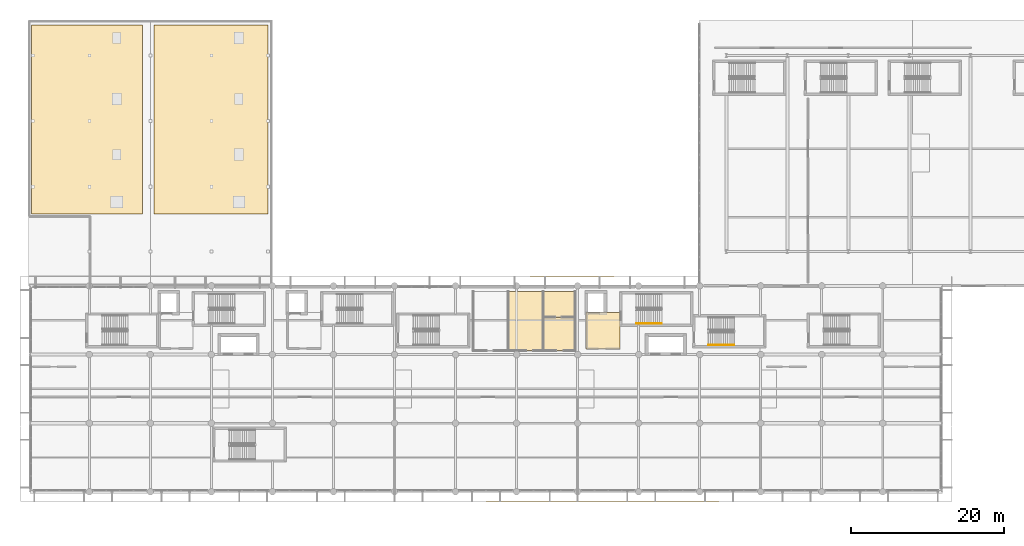
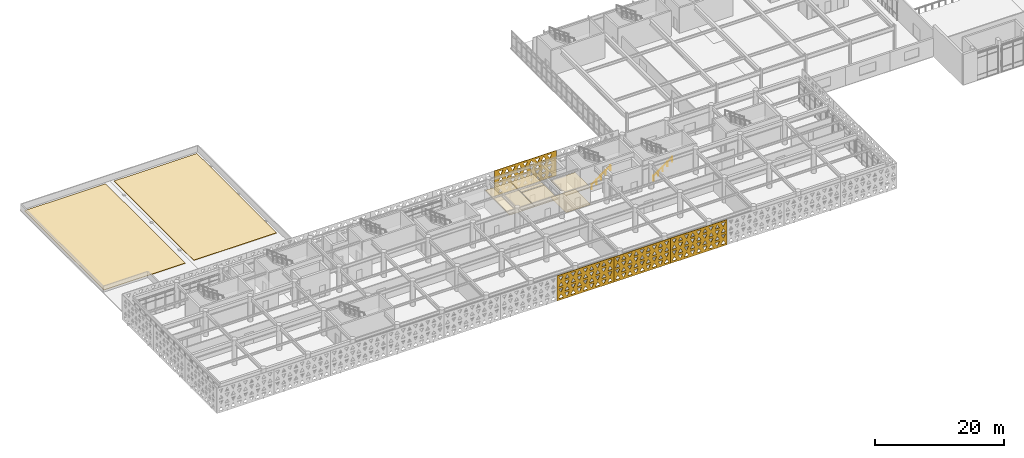
# One storey, part 47 of 54: 11 coverings, 2 railings.
"""IFC4 building model written with IfcOpenShell, lengths in metres."""

import ifcopenshell
import ifcopenshell.guid

model = None  # the IFC model being written
_history = None  # IfcOwnerHistory: only IFC2X3 demands one
_inside = {}  # id of a spatial element -> (the spatial element, [elements in it])
_under = {}  # id of a project, library or spatial element -> (it, [spatial elements below it])
_declared = {}  # id of a project -> (the project, [libraries it declares])
_typed = {}  # id of a type object -> (the type object, [elements of that type])
_made_of = {}  # id of a material, layer set ... -> (it, [elements and type objects made of it])


def new_model(schema):
    """Start an empty IFC model of exactly this schema.

    Asked for "IFC4X3", IfcOpenShell would pick the latest addendum, in which some entities
    have other attributes; the version numbers below select the first issue.
    IFC2X3 requires an IfcOwnerHistory on every rooted entity: one is made here for all.
    """
    global model, _history
    if schema == "IFC4X3":
        model = ifcopenshell.file(schema_version=(4, 3, 0, 0))
    else:
        model = ifcopenshell.file(schema=schema)
    _inside.clear()
    _under.clear()
    _declared.clear()
    _typed.clear()
    _made_of.clear()
    _history = None
    if model.schema == "IFC2X3":
        org = make("IfcOrganization", Name="unknown")
        user = make(
            "IfcPersonAndOrganization",
            ThePerson=make("IfcPerson", FamilyName="unknown"),
            TheOrganization=org,
        )
        app = make(
            "IfcApplication",
            ApplicationDeveloper=org,
            Version="unknown",
            ApplicationFullName="unknown",
            ApplicationIdentifier="unknown",
        )
        _history = make(
            "IfcOwnerHistory",
            OwningUser=user,
            OwningApplication=app,
            ChangeAction="ADDED",
            CreationDate=0,
        )
    return model


def make(cls, **values):
    """One entity of the class cls with the attributes given. An attribute that is None is left unset."""
    return model.create_entity(
        cls, **{name: value for name, value in values.items() if value is not None}
    )


def rooted(cls, **values):
    """An entity with a GlobalId (a new one), such as an element, a storey or a relation."""
    return make(cls, GlobalId=ifcopenshell.guid.new(), OwnerHistory=_history, **values)


def si_unit(unit_type, name, prefix=None):
    """IfcSIUnit, for example si_unit("LENGTHUNIT", "METRE", prefix="MILLI")."""
    return make("IfcSIUnit", UnitType=unit_type, Prefix=prefix, Name=name)


def assignment(units):
    """IfcUnitAssignment: the units of a project."""
    return None if units is None else make("IfcUnitAssignment", Units=units)


def point(xyz):
    """IfcCartesianPoint."""
    return None if xyz is None else make("IfcCartesianPoint", Coordinates=xyz)


def direction(xyz):
    """IfcDirection."""
    return None if xyz is None else make("IfcDirection", DirectionRatios=xyz)


def frame(location, z_axis=None, x_axis=None):
    """IfcAxis2Placement3D, a coordinate frame: its origin and axes. An axis left out is left unset."""
    return make(
        "IfcAxis2Placement3D",
        Location=point(location),
        Axis=direction(z_axis),
        RefDirection=direction(x_axis),
    )


def frame_2d(location, x_axis=None):
    """IfcAxis2Placement2D, a coordinate frame in the plane: its origin and x axis."""
    return make(
        "IfcAxis2Placement2D", Location=point(location), RefDirection=direction(x_axis)
    )


def origin():
    """The frame at (0, 0, 0) with its axes left unset."""
    return frame((0.0, 0.0, 0.0))


def origin_2d():
    """The frame at (0, 0) in the plane with its x axis left unset."""
    return frame_2d((0.0, 0.0))


def place(relative_to, where):
    """IfcLocalPlacement: puts the frame where relative to a parent placement (None: the world)."""
    return make(
        "IfcLocalPlacement", PlacementRelTo=relative_to, RelativePlacement=where
    )


def context(
    kind, dimensions, precision=None, world=None, true_north=None, identifier=None
):
    """IfcGeometricRepresentationContext, for example the 3D "Model" context."""
    return make(
        "IfcGeometricRepresentationContext",
        ContextIdentifier=identifier,
        ContextType=kind,
        CoordinateSpaceDimension=dimensions,
        Precision=precision,
        WorldCoordinateSystem=world,
        TrueNorth=true_north,
    )


def subcontext(parent, identifier, kind, view, scale=None):
    """IfcGeometricRepresentationSubContext, for example "Body" below "Model"."""
    return make(
        "IfcGeometricRepresentationSubContext",
        ContextIdentifier=identifier,
        ContextType=kind,
        ParentContext=parent,
        TargetScale=scale,
        TargetView=view,
    )


def project(units=None, contexts=None):
    """IfcProject with its units and contexts."""
    return rooted(
        "IfcProject",
        Name="project",
        RepresentationContexts=contexts,
        UnitsInContext=assignment(units),
    )


def spatial(cls, under=None, at=None, **own):
    """A site, building, storey or space (cls), placed at a placement, below another one or the project."""
    s = rooted(cls, ObjectPlacement=at, **own)
    if under is not None:
        _under.setdefault(under.id(), (under, []))[1].append(s)
    return s


def polyline(points):
    """IfcPolyline through the points."""
    return make("IfcPolyline", Points=[point(p) for p in points])


def profile(cls, at=None, kind="AREA", **sizes):
    """A parametric profile (cls). Its sizes go by their IFC names, for example OverallWidth=200.0."""
    return make(cls, ProfileType=kind, Position=at, **sizes)


def circle(**sizes):
    """IfcCircleProfileDef."""
    return profile("IfcCircleProfileDef", **sizes)


def outline(outer, holes=None, kind="AREA"):
    """IfcArbitraryClosedProfileDef: a profile drawn as a closed curve; with holes, ...WithVoids."""
    if holes is None:
        return make("IfcArbitraryClosedProfileDef", ProfileType=kind, OuterCurve=outer)
    return make(
        "IfcArbitraryProfileDefWithVoids",
        ProfileType=kind,
        OuterCurve=outer,
        InnerCurves=holes,
    )


def extrude(swept, where, along, depth):
    """IfcExtrudedAreaSolid: the profile swept, set in the frame where, extruded along a direction by depth."""
    return make(
        "IfcExtrudedAreaSolid",
        SweptArea=swept,
        Position=where,
        ExtrudedDirection=direction(along),
        Depth=depth,
    )


def shape(context_of_items, identifier, shape_type, items):
    """IfcShapeRepresentation: the items that make up one representation, for example the "Body"."""
    return make(
        "IfcShapeRepresentation",
        ContextOfItems=context_of_items,
        RepresentationIdentifier=identifier,
        RepresentationType=shape_type,
        Items=items,
    )


def material(Name=None, Category=None):
    """IfcMaterial."""
    return make("IfcMaterial", Name=Name, Category=Category)


def layer(
    of_material, thickness, ventilated=None, Name=None, Category=None, Priority=None
):
    """IfcMaterialLayer: one layer of a wall or slab, of a material (None: an air gap)."""
    return make(
        "IfcMaterialLayer",
        Material=of_material,
        LayerThickness=thickness,
        IsVentilated=ventilated,
        Name=Name,
        Category=Category,
        Priority=Priority,
    )


def layer_set(layers, Name=None):
    """IfcMaterialLayerSet."""
    return make("IfcMaterialLayerSet", MaterialLayers=layers, LayerSetName=Name)


def made_of(thing, what):
    """Note that an element or type object is made of a material, layer set ...; save() writes the relation."""
    if what is not None:
        _made_of.setdefault(what.id(), (what, []))[1].append(thing)
    return thing


def type_object(cls, material=None, **own):
    """A type object (cls), such as IfcWallType, which elements share."""
    return made_of(rooted(cls, **own), material)


def element(
    cls,
    number,
    at=None,
    inside=None,
    cuts=None,
    type_object=None,
    material=None,
    context=None,
    identifier="Body",
    shape_type=None,
    held_by="IfcProductDefinitionShape",
    body=None,
    shapes=None,
    **own,
):
    """One element of the class cls, such as IfcWall. Its Tag is "e" and its number.

    at: its placement. inside: the storey or other place that contains it. cuts: it is an
    opening in that element (IfcRelVoidsElement). A single representation is given by context,
    identifier, shape_type and body (its items); several are given by shapes. held_by: the class
    of the entity that holds the representations. save() writes the other relations.
    """
    e = rooted(cls, Tag="e%d" % number, ObjectPlacement=at, **own)
    if body is not None:
        shapes = [shape(context, identifier, shape_type, body)]
    if shapes is not None:
        e.Representation = make(held_by, Representations=shapes)
    if inside is not None:
        _inside.setdefault(inside.id(), (inside, []))[1].append(e)
    if cuts is not None:
        rooted(
            "IfcRelVoidsElement", RelatingBuildingElement=cuts, RelatedOpeningElement=e
        )
    if type_object is not None:
        _typed.setdefault(type_object.id(), (type_object, []))[1].append(e)
    return made_of(e, material)


def aggregate(whole, parts):
    """IfcRelAggregates: a whole, such as a stair, and the parts it consists of."""
    return rooted("IfcRelAggregates", RelatingObject=whole, RelatedObjects=parts)


def save(model, path):
    """Write the relations noted so far, then the file.

    IfcRelAggregates (storeys below a building ...), IfcRelContainedInSpatialStructure (elements
    in a storey), IfcRelDefinesByType, IfcRelAssociatesMaterial and IfcRelDeclares: one each for
    every whole, place, type object, material and project.
    """
    for whole, parts in _under.values():
        aggregate(whole, parts)
    for where, things in _inside.values():
        rooted(
            "IfcRelContainedInSpatialStructure",
            RelatedElements=things,
            RelatingStructure=where,
        )
    for kind, things in _typed.values():
        rooted("IfcRelDefinesByType", RelatedObjects=things, RelatingType=kind)
    for what, things in _made_of.values():
        rooted("IfcRelAssociatesMaterial", RelatedObjects=things, RelatingMaterial=what)
    for by, libraries in _declared.values():
        rooted("IfcRelDeclares", RelatingContext=by, RelatedDefinitions=libraries)
    model.write(path)


model = new_model("IFC4")

# Units and contexts
model_context = context("Model", 3, precision=1e-05, world=origin(), true_north=direction((0.0, 1.0)))
body_context = subcontext(model_context, "Body", "Model", "MODEL_VIEW")
ifc_project = project(units=[si_unit("LENGTHUNIT", "METRE"), si_unit("AREAUNIT", "SQUARE_METRE"), si_unit("VOLUMEUNIT", "CUBIC_METRE"), si_unit("PLANEANGLEUNIT", "RADIAN"), si_unit("MASSUNIT", "GRAM", prefix="KILO")], contexts=[model_context])

# Site, building, storey
site_placement = place(None, origin())
site = spatial("IfcSite", under=ifc_project, at=site_placement, CompositionType="ELEMENT")
building_placement = place(site_placement, origin())
building = spatial("IfcBuilding", under=site, at=building_placement, Name="Tlacozan Convention Centre", CompositionType="ELEMENT")
storey_placement = place(building_placement, frame((0.0, 0.0, 11.39990234375)))
storey = spatial("IfcBuildingStorey", under=building, at=storey_placement, Name="L02", CompositionType="ELEMENT", Elevation=11.39990234375)

# Coverings
ifc_material_1 = material(Name="Perforated Acoustic Mineral Fibre Ceiling")
ifc_layer_1 = layer(ifc_material_1, 0.02490234375)
ifc_layer_set_1 = layer_set([ifc_layer_1], Name="Perforated Acoustic Mineral Fibre Ceiling")
covering_type_1 = type_object("IfcCoveringType", Name="Acoustic Mineral Fibre Ceiling 25", PredefinedType="CEILING", material=ifc_layer_set_1)
covering_1_placement = place(storey_placement, frame((0.0, 0.0, 3.2001953125)))
element("IfcCovering", 1, at=covering_1_placement, inside=storey, type_object=covering_type_1, Name="L02 Acoustic Ceiling L02-FFL-2", PredefinedType="CEILING", context=body_context, shape_type="SweptSolid", body=[
    extrude(outline(polyline([(73.1201171875, 18.719970703125), (77.580078125, 18.719970703125), (77.580078125, 23.47998046875), (73.1201171875, 23.47998046875), (73.1201171875, 18.719970703125)])), origin(), (0.0, 0.0, 1.0), 0.02490234375),
])
covering_2_placement = place(storey_placement, frame((0.0, 0.0, 3.2001953125)))
element("IfcCovering", 2, at=covering_2_placement, inside=storey, type_object=covering_type_1, Name="L02 Acoustic Ceiling L02-WC2", PredefinedType="CEILING", context=body_context, shape_type="SweptSolid", body=[
    extrude(outline(polyline([(62.919921875, 18.52001953125), (67.47998046875, 18.52001953125), (67.47998046875, 26.280029296875), (62.919921875, 26.280029296875), (62.919921875, 18.52001953125)])), origin(), (0.0, 0.0, 1.0), 0.02490234375),
])
covering_3_placement = place(storey_placement, frame((0.0, 0.0, 3.2001953125)))
element("IfcCovering", 3, at=covering_3_placement, inside=storey, type_object=covering_type_1, Name="L02 Acoustic Ceiling L02-WCA", PredefinedType="CEILING", context=body_context, shape_type="SweptSolid", body=[
    extrude(outline(polyline([(67.52001953125, 18.52001953125), (71.679931640625, 18.52001953125), (71.679931640625, 22.8798828125), (67.52001953125, 22.8798828125), (67.52001953125, 18.52001953125)])), origin(), (0.0, 0.0, 1.0), 0.02490234375),
])
covering_4_placement = place(storey_placement, frame((0.0, 0.0, 3.2001953125)))
element("IfcCovering", 4, at=covering_4_placement, inside=storey, type_object=covering_type_1, Name="L02 Acoustic Ceiling L02-JAN", PredefinedType="CEILING", context=body_context, shape_type="SweptSolid", body=[
    extrude(outline(polyline([(67.52001953125, 22.919921875), (71.679931640625, 22.919921875), (71.679931640625, 26.280029296875), (67.52001953125, 26.280029296875), (67.52001953125, 22.919921875)])), origin(), (0.0, 0.0, 1.0), 0.02490234375),
])
ifc_material_2 = material(Name="Polished Basalt Terrazzo Flooring", Category="masonry")
ifc_layer_2 = layer(ifc_material_2, 0.02001953125)
ifc_layer_set_2 = layer_set([ifc_layer_2], Name="Polished Basalt Terrazzo Flooring")
covering_type_2 = type_object("IfcCoveringType", Name="Polished Basalt Terrazzo Flooring 20", PredefinedType="FLOORING", material=ifc_layer_set_2)
covering_5_placement = place(storey_placement, origin())
element("IfcCovering", 5, at=covering_5_placement, inside=storey, type_object=covering_type_2, Name="L02 Terrazzo Flooring L02-FFL-2", PredefinedType="FLOORING", context=body_context, shape_type="SweptSolid", body=[
    extrude(outline(polyline([(73.1201171875, 18.719970703125), (77.580078125, 18.719970703125), (77.580078125, 23.47998046875), (73.1201171875, 23.47998046875), (73.1201171875, 18.719970703125)])), origin(), (0.0, 0.0, 1.0), 0.02001953125),
])

# Railings
ifc_material_3 = material(Name="Architectural Painted Galvanised Steel Railing", Category="steel")
railing_type = type_object("IfcRailingType", Name="Stair Wall Handrail 900", PredefinedType="HANDRAIL", material=ifc_material_3)
for number, where, name in (
    (6, (79.679931640625, 22.050048828125, 0.184814453125), "L02 ST-02 stair handrail 1"),
    (7, (89.14990234375, 19.25, 0.184814453125), "L02 ST-15 stair handrail 1"),
):
    element("IfcRailing", number, at=place(storey_placement, frame(where)), inside=storey, type_object=railing_type, Name=name, PredefinedType="HANDRAIL", context=body_context, shape_type="SweptSolid", body=[
        extrude(circle(Radius=0.02392578125, at=origin_2d()), frame((0.0, 0.0, 0.8759765625), z_axis=(0.813753445783, 0.0, 0.581210228297), x_axis=(0.0, 1.0, 0.0)), (0.0, 0.0, 1.0), 4.129150390625),
        extrude(circle(Radius=0.02099609375, at=origin_2d()), origin(), (0.0, 0.0, 1.0), 0.851806640625),
        extrude(circle(Radius=0.02099609375, at=origin_2d()), frame((0.840087890625, 0.0, 0.60009765625)), (0.0, 0.0, 1.0), 0.851806640625),
        extrude(circle(Radius=0.02099609375, at=origin_2d()), frame((1.68017578125, 0.0, 1.199951171875)), (0.0, 0.0, 1.0), 0.851806640625),
        extrude(circle(Radius=0.02099609375, at=origin_2d()), frame((2.52001953125, 0.0, 1.7998046875)), (0.0, 0.0, 1.0), 0.851806640625),
        extrude(circle(Radius=0.02099609375, at=origin_2d()), frame((3.360107421875, 0.0, 2.39990234375)), (0.0, 0.0, 1.0), 0.851806640625),
    ])

# Coverings
ifc_material_4 = material(Name="Standing-Seam Zinc-Bronze Roof Membrane")
ifc_layer_3 = layer(ifc_material_4, 0.090087890625)
ifc_layer_set_3 = layer_set([ifc_layer_3], Name="Standing-Seam Zinc-Bronze Roof Membrane")
covering_type_3 = type_object("IfcCoveringType", Name="Standing-Seam Insulated Roofing Membrane 90", PredefinedType="ROOFING", material=ifc_layer_set_3)
covering_6_placement = place(storey_placement, origin())
element("IfcCovering", 8, at=covering_6_placement, inside=storey, type_object=covering_type_3, Name="L02 Insulated Roof Membrane 1", PredefinedType="ROOFING", context=body_context, shape_type="SweptSolid", body=[
    extrude(outline(polyline([(0.39990234375, 36.39990234375), (15.0, 36.39990234375), (15.0, 61.199951171875), (0.39990234375, 61.199951171875), (0.39990234375, 36.39990234375)])), origin(), (0.0, 0.0, 1.0), 0.090087890625),
])
covering_7_placement = place(storey_placement, origin())
element("IfcCovering", 9, at=covering_7_placement, inside=storey, type_object=covering_type_3, Name="L02 Insulated Roof Membrane 2", PredefinedType="ROOFING", context=body_context, shape_type="SweptSolid", body=[
    extrude(outline(polyline([(16.5, 36.39990234375), (31.39990234375, 36.39990234375), (31.39990234375, 61.199951171875), (16.5, 61.199951171875), (16.5, 36.39990234375)])), origin(), (0.0, 0.0, 1.0), 0.090087890625),
])
ifc_material_5 = material(Name="Toluca Fired Terracotta Masonry Solar Screen", Category="masonry")
ifc_layer_4 = layer(ifc_material_5, 0.080078125)
ifc_layer_set_4 = layer_set([ifc_layer_4], Name="Toluca Fired Terracotta Masonry Solar Screen")
covering_type_4 = type_object("IfcCoveringType", Name="Terracotta Triangle Solar Screen 80", PredefinedType="USERDEFINED", material=ifc_layer_set_4)
covering_8_placement = place(storey_placement, frame((60.001953125, -1.25, -0.02978515625), z_axis=(0.0, 0.0, 1.0), x_axis=(1.0, 0.0, 0.0)))
element("IfcCovering", 10, at=covering_8_placement, inside=storey, type_object=covering_type_4, Name="L02 Terracotta Triangle Screen 31", ObjectType="SCREEN", PredefinedType="USERDEFINED", context=body_context, shape_type="SweptSolid", body=[
    extrude(outline(polyline([(0.0, 0.0), (10.171142578125, 0.0), (10.171142578125, 4.77978515625), (0.0, 4.77978515625), (0.0, 0.0)]), holes=[polyline([(0.299560546875, 0.360107421875), (1.071533203125, 0.360107421875), (0.685546875, 1.074951171875), (0.299560546875, 0.360107421875)]), polyline([(1.399658203125, 1.074951171875), (2.171630859375, 1.074951171875), (1.78564453125, 0.360107421875), (1.399658203125, 1.074951171875)]), polyline([(2.49951171875, 0.360107421875), (3.271484375, 0.360107421875), (2.885498046875, 1.074951171875), (2.49951171875, 0.360107421875)]), polyline([(3.599609375, 1.074951171875), (4.37158203125, 1.074951171875), (3.985595703125, 0.360107421875), (3.599609375, 1.074951171875)]), polyline([(4.699462890625, 0.360107421875), (5.4716796875, 0.360107421875), (5.08544921875, 1.074951171875), (4.699462890625, 0.360107421875)]), polyline([(5.799560546875, 1.074951171875), (6.571533203125, 1.074951171875), (6.185546875, 0.360107421875), (5.799560546875, 1.074951171875)]), polyline([(6.899658203125, 0.360107421875), (7.671630859375, 0.360107421875), (7.28564453125, 1.074951171875), (6.899658203125, 0.360107421875)]), polyline([(7.99951171875, 1.074951171875), (8.771484375, 1.074951171875), (8.385498046875, 0.360107421875), (7.99951171875, 1.074951171875)]), polyline([(9.099609375, 0.360107421875), (9.87158203125, 0.360107421875), (9.485595703125, 1.074951171875), (9.099609375, 0.360107421875)]), polyline([(0.299560546875, 2.18994140625), (1.071533203125, 2.18994140625), (0.685546875, 1.47509765625), (0.299560546875, 2.18994140625)]), polyline([(1.399658203125, 1.47509765625), (2.171630859375, 1.47509765625), (1.78564453125, 2.18994140625), (1.399658203125, 1.47509765625)]), polyline([(2.49951171875, 2.18994140625), (3.271484375, 2.18994140625), (2.885498046875, 1.47509765625), (2.49951171875, 2.18994140625)]), polyline([(3.599609375, 1.47509765625), (4.37158203125, 1.47509765625), (3.985595703125, 2.18994140625), (3.599609375, 1.47509765625)]), polyline([(4.699462890625, 2.18994140625), (5.4716796875, 2.18994140625), (5.08544921875, 1.47509765625), (4.699462890625, 2.18994140625)]), polyline([(5.799560546875, 1.47509765625), (6.571533203125, 1.47509765625), (6.185546875, 2.18994140625), (5.799560546875, 1.47509765625)]), polyline([(6.899658203125, 2.18994140625), (7.671630859375, 2.18994140625), (7.28564453125, 1.47509765625), (6.899658203125, 2.18994140625)]), polyline([(7.99951171875, 1.47509765625), (8.771484375, 1.47509765625), (8.385498046875, 2.18994140625), (7.99951171875, 1.47509765625)]), polyline([(9.099609375, 2.18994140625), (9.87158203125, 2.18994140625), (9.485595703125, 1.47509765625), (9.099609375, 2.18994140625)]), polyline([(0.299560546875, 2.58984375), (1.071533203125, 2.58984375), (0.685546875, 3.3046875), (0.299560546875, 2.58984375)]), polyline([(1.399658203125, 3.3046875), (2.171630859375, 3.3046875), (1.78564453125, 2.58984375), (1.399658203125, 3.3046875)]), polyline([(2.49951171875, 2.58984375), (3.271484375, 2.58984375), (2.885498046875, 3.3046875), (2.49951171875, 2.58984375)]), polyline([(3.599609375, 3.3046875), (4.37158203125, 3.3046875), (3.985595703125, 2.58984375), (3.599609375, 3.3046875)]), polyline([(4.699462890625, 2.58984375), (5.4716796875, 2.58984375), (5.08544921875, 3.3046875), (4.699462890625, 2.58984375)]), polyline([(5.799560546875, 3.3046875), (6.571533203125, 3.3046875), (6.185546875, 2.58984375), (5.799560546875, 3.3046875)]), polyline([(6.899658203125, 2.58984375), (7.671630859375, 2.58984375), (7.28564453125, 3.3046875), (6.899658203125, 2.58984375)]), polyline([(7.99951171875, 3.3046875), (8.771484375, 3.3046875), (8.385498046875, 2.58984375), (7.99951171875, 3.3046875)]), polyline([(9.099609375, 2.58984375), (9.87158203125, 2.58984375), (9.485595703125, 3.3046875), (9.099609375, 2.58984375)]), polyline([(0.299560546875, 4.419677734375), (1.071533203125, 4.419677734375), (0.685546875, 3.704833984375), (0.299560546875, 4.419677734375)]), polyline([(1.399658203125, 3.704833984375), (2.171630859375, 3.704833984375), (1.78564453125, 4.419677734375), (1.399658203125, 3.704833984375)]), polyline([(2.49951171875, 4.419677734375), (3.271484375, 4.419677734375), (2.885498046875, 3.704833984375), (2.49951171875, 4.419677734375)]), polyline([(3.599609375, 3.704833984375), (4.37158203125, 3.704833984375), (3.985595703125, 4.419677734375), (3.599609375, 3.704833984375)]), polyline([(4.699462890625, 4.419677734375), (5.4716796875, 4.419677734375), (5.08544921875, 3.704833984375), (4.699462890625, 4.419677734375)]), polyline([(5.799560546875, 3.704833984375), (6.571533203125, 3.704833984375), (6.185546875, 4.419677734375), (5.799560546875, 3.704833984375)]), polyline([(6.899658203125, 4.419677734375), (7.671630859375, 4.419677734375), (7.28564453125, 3.704833984375), (6.899658203125, 4.419677734375)]), polyline([(7.99951171875, 3.704833984375), (8.771484375, 3.704833984375), (8.385498046875, 4.419677734375), (7.99951171875, 3.704833984375)]), polyline([(9.099609375, 4.419677734375), (9.87158203125, 4.419677734375), (9.485595703125, 3.704833984375), (9.099609375, 4.419677734375)])]), frame((0.0, 0.0400390625, 0.0), z_axis=(0.0, -1.0, 0.0), x_axis=(1.0, 0.0, 0.0)), (0.0, 0.0, 1.0), 0.080078125),
])
covering_9_placement = place(storey_placement, frame((70.177001953125, -1.25, -0.02978515625), z_axis=(0.0, 0.0, 1.0), x_axis=(1.0, 0.0, 0.0)))
element("IfcCovering", 11, at=covering_9_placement, inside=storey, type_object=covering_type_4, Name="L02 Terracotta Triangle Screen 32", ObjectType="SCREEN", PredefinedType="USERDEFINED", context=body_context, shape_type="SweptSolid", body=[
    extrude(outline(polyline([(0.0, 0.0), (10.1708984375, 0.0), (10.1708984375, 4.77978515625), (0.0, 4.77978515625), (0.0, 0.0)]), holes=[polyline([(0.29931640625, 0.360107421875), (1.071533203125, 0.360107421875), (0.685546875, 1.074951171875), (0.29931640625, 0.360107421875)]), polyline([(1.3994140625, 1.074951171875), (2.17138671875, 1.074951171875), (1.785400390625, 0.360107421875), (1.3994140625, 1.074951171875)]), polyline([(2.49951171875, 0.360107421875), (3.271484375, 0.360107421875), (2.885498046875, 1.074951171875), (2.49951171875, 0.360107421875)]), polyline([(3.599365234375, 1.074951171875), (4.37158203125, 1.074951171875), (3.9853515625, 0.360107421875), (3.599365234375, 1.074951171875)]), polyline([(4.699462890625, 0.360107421875), (5.471435546875, 0.360107421875), (5.08544921875, 1.074951171875), (4.699462890625, 0.360107421875)]), polyline([(5.79931640625, 1.074951171875), (6.571533203125, 1.074951171875), (6.185546875, 0.360107421875), (5.79931640625, 1.074951171875)]), polyline([(6.8994140625, 0.360107421875), (7.67138671875, 0.360107421875), (7.285400390625, 1.074951171875), (6.8994140625, 0.360107421875)]), polyline([(7.99951171875, 1.074951171875), (8.771484375, 1.074951171875), (8.385498046875, 0.360107421875), (7.99951171875, 1.074951171875)]), polyline([(9.099365234375, 0.360107421875), (9.87158203125, 0.360107421875), (9.4853515625, 1.074951171875), (9.099365234375, 0.360107421875)]), polyline([(0.29931640625, 2.18994140625), (1.071533203125, 2.18994140625), (0.685546875, 1.47509765625), (0.29931640625, 2.18994140625)]), polyline([(1.3994140625, 1.47509765625), (2.17138671875, 1.47509765625), (1.785400390625, 2.18994140625), (1.3994140625, 1.47509765625)]), polyline([(2.49951171875, 2.18994140625), (3.271484375, 2.18994140625), (2.885498046875, 1.47509765625), (2.49951171875, 2.18994140625)]), polyline([(3.599365234375, 1.47509765625), (4.37158203125, 1.47509765625), (3.9853515625, 2.18994140625), (3.599365234375, 1.47509765625)]), polyline([(4.699462890625, 2.18994140625), (5.471435546875, 2.18994140625), (5.08544921875, 1.47509765625), (4.699462890625, 2.18994140625)]), polyline([(5.79931640625, 1.47509765625), (6.571533203125, 1.47509765625), (6.185546875, 2.18994140625), (5.79931640625, 1.47509765625)]), polyline([(6.8994140625, 2.18994140625), (7.67138671875, 2.18994140625), (7.285400390625, 1.47509765625), (6.8994140625, 2.18994140625)]), polyline([(7.99951171875, 1.47509765625), (8.771484375, 1.47509765625), (8.385498046875, 2.18994140625), (7.99951171875, 1.47509765625)]), polyline([(9.099365234375, 2.18994140625), (9.87158203125, 2.18994140625), (9.4853515625, 1.47509765625), (9.099365234375, 2.18994140625)]), polyline([(0.29931640625, 2.58984375), (1.071533203125, 2.58984375), (0.685546875, 3.3046875), (0.29931640625, 2.58984375)]), polyline([(1.3994140625, 3.3046875), (2.17138671875, 3.3046875), (1.785400390625, 2.58984375), (1.3994140625, 3.3046875)]), polyline([(2.49951171875, 2.58984375), (3.271484375, 2.58984375), (2.885498046875, 3.3046875), (2.49951171875, 2.58984375)]), polyline([(3.599365234375, 3.3046875), (4.37158203125, 3.3046875), (3.9853515625, 2.58984375), (3.599365234375, 3.3046875)]), polyline([(4.699462890625, 2.58984375), (5.471435546875, 2.58984375), (5.08544921875, 3.3046875), (4.699462890625, 2.58984375)]), polyline([(5.79931640625, 3.3046875), (6.571533203125, 3.3046875), (6.185546875, 2.58984375), (5.79931640625, 3.3046875)]), polyline([(6.8994140625, 2.58984375), (7.67138671875, 2.58984375), (7.285400390625, 3.3046875), (6.8994140625, 2.58984375)]), polyline([(7.99951171875, 3.3046875), (8.771484375, 3.3046875), (8.385498046875, 2.58984375), (7.99951171875, 3.3046875)]), polyline([(9.099365234375, 2.58984375), (9.87158203125, 2.58984375), (9.4853515625, 3.3046875), (9.099365234375, 2.58984375)]), polyline([(0.29931640625, 4.419677734375), (1.071533203125, 4.419677734375), (0.685546875, 3.704833984375), (0.29931640625, 4.419677734375)]), polyline([(1.3994140625, 3.704833984375), (2.17138671875, 3.704833984375), (1.785400390625, 4.419677734375), (1.3994140625, 3.704833984375)]), polyline([(2.49951171875, 4.419677734375), (3.271484375, 4.419677734375), (2.885498046875, 3.704833984375), (2.49951171875, 4.419677734375)]), polyline([(3.599365234375, 3.704833984375), (4.37158203125, 3.704833984375), (3.9853515625, 4.419677734375), (3.599365234375, 3.704833984375)]), polyline([(4.699462890625, 4.419677734375), (5.471435546875, 4.419677734375), (5.08544921875, 3.704833984375), (4.699462890625, 4.419677734375)]), polyline([(5.79931640625, 3.704833984375), (6.571533203125, 3.704833984375), (6.185546875, 4.419677734375), (5.79931640625, 3.704833984375)]), polyline([(6.8994140625, 4.419677734375), (7.67138671875, 4.419677734375), (7.285400390625, 3.704833984375), (6.8994140625, 4.419677734375)]), polyline([(7.99951171875, 3.704833984375), (8.771484375, 3.704833984375), (8.385498046875, 4.419677734375), (7.99951171875, 3.704833984375)]), polyline([(9.099365234375, 4.419677734375), (9.87158203125, 4.419677734375), (9.4853515625, 3.704833984375), (9.099365234375, 4.419677734375)])]), frame((0.0, 0.0400390625, 0.0), z_axis=(0.0, -1.0, 0.0), x_axis=(1.0, 0.0, 0.0)), (0.0, 0.0, 1.0), 0.080078125),
])
covering_10_placement = place(storey_placement, frame((80.35205078125, -1.25, -0.02978515625), z_axis=(0.0, 0.0, 1.0), x_axis=(1.0, 0.0, 0.0)))
element("IfcCovering", 12, at=covering_10_placement, inside=storey, type_object=covering_type_4, Name="L02 Terracotta Triangle Screen 33", ObjectType="SCREEN", PredefinedType="USERDEFINED", context=body_context, shape_type="SweptSolid", body=[
    extrude(outline(polyline([(0.0, 0.0), (10.1708984375, 0.0), (10.1708984375, 4.77978515625), (0.0, 4.77978515625), (0.0, 0.0)]), holes=[polyline([(0.29931640625, 0.360107421875), (1.071533203125, 0.360107421875), (0.685546875, 1.074951171875), (0.29931640625, 0.360107421875)]), polyline([(1.3994140625, 1.074951171875), (2.17138671875, 1.074951171875), (1.785400390625, 0.360107421875), (1.3994140625, 1.074951171875)]), polyline([(2.49951171875, 0.360107421875), (3.271484375, 0.360107421875), (2.885498046875, 1.074951171875), (2.49951171875, 0.360107421875)]), polyline([(3.599365234375, 1.074951171875), (4.37158203125, 1.074951171875), (3.9853515625, 0.360107421875), (3.599365234375, 1.074951171875)]), polyline([(4.699462890625, 0.360107421875), (5.471435546875, 0.360107421875), (5.08544921875, 1.074951171875), (4.699462890625, 0.360107421875)]), polyline([(5.79931640625, 1.074951171875), (6.571533203125, 1.074951171875), (6.185546875, 0.360107421875), (5.79931640625, 1.074951171875)]), polyline([(6.8994140625, 0.360107421875), (7.67138671875, 0.360107421875), (7.285400390625, 1.074951171875), (6.8994140625, 0.360107421875)]), polyline([(7.99951171875, 1.074951171875), (8.771484375, 1.074951171875), (8.385498046875, 0.360107421875), (7.99951171875, 1.074951171875)]), polyline([(9.099365234375, 0.360107421875), (9.87158203125, 0.360107421875), (9.4853515625, 1.074951171875), (9.099365234375, 0.360107421875)]), polyline([(0.29931640625, 2.18994140625), (1.071533203125, 2.18994140625), (0.685546875, 1.47509765625), (0.29931640625, 2.18994140625)]), polyline([(1.3994140625, 1.47509765625), (2.17138671875, 1.47509765625), (1.785400390625, 2.18994140625), (1.3994140625, 1.47509765625)]), polyline([(2.49951171875, 2.18994140625), (3.271484375, 2.18994140625), (2.885498046875, 1.47509765625), (2.49951171875, 2.18994140625)]), polyline([(3.599365234375, 1.47509765625), (4.37158203125, 1.47509765625), (3.9853515625, 2.18994140625), (3.599365234375, 1.47509765625)]), polyline([(4.699462890625, 2.18994140625), (5.471435546875, 2.18994140625), (5.08544921875, 1.47509765625), (4.699462890625, 2.18994140625)]), polyline([(5.79931640625, 1.47509765625), (6.571533203125, 1.47509765625), (6.185546875, 2.18994140625), (5.79931640625, 1.47509765625)]), polyline([(6.8994140625, 2.18994140625), (7.67138671875, 2.18994140625), (7.285400390625, 1.47509765625), (6.8994140625, 2.18994140625)]), polyline([(7.99951171875, 1.47509765625), (8.771484375, 1.47509765625), (8.385498046875, 2.18994140625), (7.99951171875, 1.47509765625)]), polyline([(9.099365234375, 2.18994140625), (9.87158203125, 2.18994140625), (9.4853515625, 1.47509765625), (9.099365234375, 2.18994140625)]), polyline([(0.29931640625, 2.58984375), (1.071533203125, 2.58984375), (0.685546875, 3.3046875), (0.29931640625, 2.58984375)]), polyline([(1.3994140625, 3.3046875), (2.17138671875, 3.3046875), (1.785400390625, 2.58984375), (1.3994140625, 3.3046875)]), polyline([(2.49951171875, 2.58984375), (3.271484375, 2.58984375), (2.885498046875, 3.3046875), (2.49951171875, 2.58984375)]), polyline([(3.599365234375, 3.3046875), (4.37158203125, 3.3046875), (3.9853515625, 2.58984375), (3.599365234375, 3.3046875)]), polyline([(4.699462890625, 2.58984375), (5.471435546875, 2.58984375), (5.08544921875, 3.3046875), (4.699462890625, 2.58984375)]), polyline([(5.79931640625, 3.3046875), (6.571533203125, 3.3046875), (6.185546875, 2.58984375), (5.79931640625, 3.3046875)]), polyline([(6.8994140625, 2.58984375), (7.67138671875, 2.58984375), (7.285400390625, 3.3046875), (6.8994140625, 2.58984375)]), polyline([(7.99951171875, 3.3046875), (8.771484375, 3.3046875), (8.385498046875, 2.58984375), (7.99951171875, 3.3046875)]), polyline([(9.099365234375, 2.58984375), (9.87158203125, 2.58984375), (9.4853515625, 3.3046875), (9.099365234375, 2.58984375)]), polyline([(0.29931640625, 4.419677734375), (1.071533203125, 4.419677734375), (0.685546875, 3.704833984375), (0.29931640625, 4.419677734375)]), polyline([(1.3994140625, 3.704833984375), (2.17138671875, 3.704833984375), (1.785400390625, 4.419677734375), (1.3994140625, 3.704833984375)]), polyline([(2.49951171875, 4.419677734375), (3.271484375, 4.419677734375), (2.885498046875, 3.704833984375), (2.49951171875, 4.419677734375)]), polyline([(3.599365234375, 3.704833984375), (4.37158203125, 3.704833984375), (3.9853515625, 4.419677734375), (3.599365234375, 3.704833984375)]), polyline([(4.699462890625, 4.419677734375), (5.471435546875, 4.419677734375), (5.08544921875, 3.704833984375), (4.699462890625, 4.419677734375)]), polyline([(5.79931640625, 3.704833984375), (6.571533203125, 3.704833984375), (6.185546875, 4.419677734375), (5.79931640625, 3.704833984375)]), polyline([(6.8994140625, 4.419677734375), (7.67138671875, 4.419677734375), (7.285400390625, 3.704833984375), (6.8994140625, 4.419677734375)]), polyline([(7.99951171875, 3.704833984375), (8.771484375, 3.704833984375), (8.385498046875, 4.419677734375), (7.99951171875, 3.704833984375)]), polyline([(9.099365234375, 4.419677734375), (9.87158203125, 4.419677734375), (9.4853515625, 3.704833984375), (9.099365234375, 4.419677734375)])]), frame((0.0, 0.0400390625, 0.0), z_axis=(0.0, -1.0, 0.0), x_axis=(1.0, 0.0, 0.0)), (0.0, 0.0, 1.0), 0.080078125),
])
covering_11_placement = place(storey_placement, frame((65.739501953125, 28.25, -0.02978515625), z_axis=(0.0, 0.0, 1.0), x_axis=(1.0, 0.0, 0.0)))
element("IfcCovering", 13, at=covering_11_placement, inside=storey, type_object=covering_type_4, Name="L02 Terracotta Triangle Screen 49", ObjectType="SCREEN", PredefinedType="USERDEFINED", context=body_context, shape_type="SweptSolid", body=[
    extrude(outline(polyline([(0.0, 0.0), (11.127197265625, 0.0), (11.127197265625, 4.77978515625), (0.0, 4.77978515625), (0.0, 0.0)]), holes=[polyline([(0.777587890625, 0.360107421875), (1.549560546875, 0.360107421875), (1.16357421875, 1.074951171875), (0.777587890625, 0.360107421875)]), polyline([(1.877685546875, 1.074951171875), (2.649658203125, 1.074951171875), (2.263671875, 0.360107421875), (1.877685546875, 1.074951171875)]), polyline([(2.9775390625, 0.360107421875), (3.74951171875, 0.360107421875), (3.363525390625, 1.074951171875), (2.9775390625, 0.360107421875)]), polyline([(4.07763671875, 1.074951171875), (4.849609375, 1.074951171875), (4.463623046875, 0.360107421875), (4.07763671875, 1.074951171875)]), polyline([(5.177490234375, 0.360107421875), (5.94970703125, 0.360107421875), (5.5634765625, 1.074951171875), (5.177490234375, 0.360107421875)]), polyline([(6.277587890625, 1.074951171875), (7.049560546875, 1.074951171875), (6.66357421875, 0.360107421875), (6.277587890625, 1.074951171875)]), polyline([(7.377685546875, 0.360107421875), (8.149658203125, 0.360107421875), (7.763671875, 1.074951171875), (7.377685546875, 0.360107421875)]), polyline([(8.4775390625, 1.074951171875), (9.24951171875, 1.074951171875), (8.863525390625, 0.360107421875), (8.4775390625, 1.074951171875)]), polyline([(9.57763671875, 0.360107421875), (10.349609375, 0.360107421875), (9.963623046875, 1.074951171875), (9.57763671875, 0.360107421875)]), polyline([(0.777587890625, 2.18994140625), (1.549560546875, 2.18994140625), (1.16357421875, 1.47509765625), (0.777587890625, 2.18994140625)]), polyline([(1.877685546875, 1.47509765625), (2.649658203125, 1.47509765625), (2.263671875, 2.18994140625), (1.877685546875, 1.47509765625)]), polyline([(2.9775390625, 2.18994140625), (3.74951171875, 2.18994140625), (3.363525390625, 1.47509765625), (2.9775390625, 2.18994140625)]), polyline([(4.07763671875, 1.47509765625), (4.849609375, 1.47509765625), (4.463623046875, 2.18994140625), (4.07763671875, 1.47509765625)]), polyline([(5.177490234375, 2.18994140625), (5.94970703125, 2.18994140625), (5.5634765625, 1.47509765625), (5.177490234375, 2.18994140625)]), polyline([(6.277587890625, 1.47509765625), (7.049560546875, 1.47509765625), (6.66357421875, 2.18994140625), (6.277587890625, 1.47509765625)]), polyline([(7.377685546875, 2.18994140625), (8.149658203125, 2.18994140625), (7.763671875, 1.47509765625), (7.377685546875, 2.18994140625)]), polyline([(8.4775390625, 1.47509765625), (9.24951171875, 1.47509765625), (8.863525390625, 2.18994140625), (8.4775390625, 1.47509765625)]), polyline([(9.57763671875, 2.18994140625), (10.349609375, 2.18994140625), (9.963623046875, 1.47509765625), (9.57763671875, 2.18994140625)]), polyline([(0.777587890625, 2.58984375), (1.549560546875, 2.58984375), (1.16357421875, 3.3046875), (0.777587890625, 2.58984375)]), polyline([(1.877685546875, 3.3046875), (2.649658203125, 3.3046875), (2.263671875, 2.58984375), (1.877685546875, 3.3046875)]), polyline([(2.9775390625, 2.58984375), (3.74951171875, 2.58984375), (3.363525390625, 3.3046875), (2.9775390625, 2.58984375)]), polyline([(4.07763671875, 3.3046875), (4.849609375, 3.3046875), (4.463623046875, 2.58984375), (4.07763671875, 3.3046875)]), polyline([(5.177490234375, 2.58984375), (5.94970703125, 2.58984375), (5.5634765625, 3.3046875), (5.177490234375, 2.58984375)]), polyline([(6.277587890625, 3.3046875), (7.049560546875, 3.3046875), (6.66357421875, 2.58984375), (6.277587890625, 3.3046875)]), polyline([(7.377685546875, 2.58984375), (8.149658203125, 2.58984375), (7.763671875, 3.3046875), (7.377685546875, 2.58984375)]), polyline([(8.4775390625, 3.3046875), (9.24951171875, 3.3046875), (8.863525390625, 2.58984375), (8.4775390625, 3.3046875)]), polyline([(9.57763671875, 2.58984375), (10.349609375, 2.58984375), (9.963623046875, 3.3046875), (9.57763671875, 2.58984375)]), polyline([(0.777587890625, 4.419677734375), (1.549560546875, 4.419677734375), (1.16357421875, 3.704833984375), (0.777587890625, 4.419677734375)]), polyline([(1.877685546875, 3.704833984375), (2.649658203125, 3.704833984375), (2.263671875, 4.419677734375), (1.877685546875, 3.704833984375)]), polyline([(2.9775390625, 4.419677734375), (3.74951171875, 4.419677734375), (3.363525390625, 3.704833984375), (2.9775390625, 4.419677734375)]), polyline([(4.07763671875, 3.704833984375), (4.849609375, 3.704833984375), (4.463623046875, 4.419677734375), (4.07763671875, 3.704833984375)]), polyline([(5.177490234375, 4.419677734375), (5.94970703125, 4.419677734375), (5.5634765625, 3.704833984375), (5.177490234375, 4.419677734375)]), polyline([(6.277587890625, 3.704833984375), (7.049560546875, 3.704833984375), (6.66357421875, 4.419677734375), (6.277587890625, 3.704833984375)]), polyline([(7.377685546875, 4.419677734375), (8.149658203125, 4.419677734375), (7.763671875, 3.704833984375), (7.377685546875, 4.419677734375)]), polyline([(8.4775390625, 3.704833984375), (9.24951171875, 3.704833984375), (8.863525390625, 4.419677734375), (8.4775390625, 3.704833984375)]), polyline([(9.57763671875, 4.419677734375), (10.349609375, 4.419677734375), (9.963623046875, 3.704833984375), (9.57763671875, 4.419677734375)])]), frame((0.0, 0.0400390625, 0.0), z_axis=(0.0, -1.0, 0.0), x_axis=(1.0, 0.0, 0.0)), (0.0, 0.0, 1.0), 0.080078125),
])

save(model, "model.ifc")
